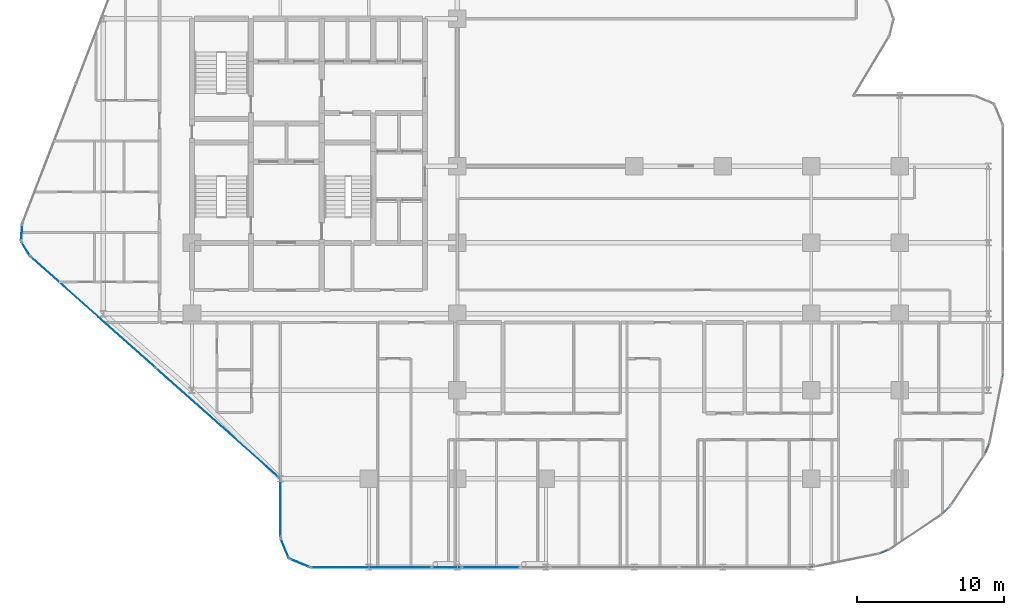
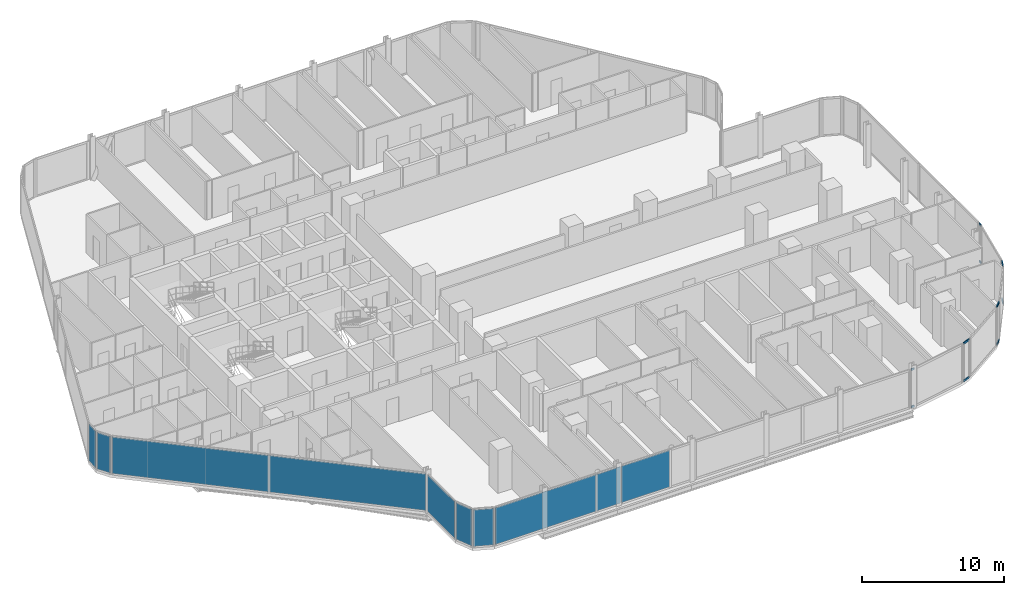
# One storey, part 20 of 33: 10 members, 10 plates, 14 elements without a shape of their own.
"""IFC4 building model written with IfcOpenShell, lengths in metres."""

from ifc_helpers import new_model, si_unit, direction, frame, origin, origin_2d, place, context, subcontext, project, spatial, rectangle, hollow_rectangle, extrude, material, layer, layer_set, material_profile, profile_set, type_object, element, aggregate, save


model = new_model("IFC4")

# Units and contexts
model_context = context("Model", 3, precision=1e-05, world=origin(), true_north=direction((0.0, 1.0)))
body_context = subcontext(model_context, "Body", "Model", "MODEL_VIEW")
ifc_project = project(units=[si_unit("LENGTHUNIT", "METRE"), si_unit("AREAUNIT", "SQUARE_METRE"), si_unit("VOLUMEUNIT", "CUBIC_METRE"), si_unit("PLANEANGLEUNIT", "RADIAN"), si_unit("MASSUNIT", "GRAM", prefix="KILO")], contexts=[model_context])

# Site, building, storey
site_placement = place(None, origin())
site = spatial("IfcSite", under=ifc_project, at=site_placement, CompositionType="ELEMENT")
building_placement = place(site_placement, origin())
building = spatial("IfcBuilding", under=site, at=building_placement, Name="Keshet Zoharim Tower", CompositionType="ELEMENT")
storey_placement = place(building_placement, frame((0.0, 0.0, 57.300048828125)))
storey = spatial("IfcBuildingStorey", under=building, at=storey_placement, Name="L13", CompositionType="ELEMENT", Elevation=57.300048828125)

# Curtain wall, members
ifc_material_1 = material(Name="Aluminium 6063-T6", Category="aluminium")
ifc_layer_1 = layer(ifc_material_1, 0.169921875)
ifc_layer_set_1 = layer_set([ifc_layer_1], Name="Aluminium 6063-T6")
curtain_wall_type_1 = type_object("IfcCurtainWallType", Name="CW-SYS-02", PredefinedType="NOTDEFINED", material=ifc_layer_set_1)
curtain_wall_1_placement = place(storey_placement, origin())
curtain_wall_1 = element("IfcCurtainWall", 1, at=curtain_wall_1_placement, inside=storey, type_object=curtain_wall_type_1, Name="L13 Unitised Curtain Wall 17", PredefinedType="NOTDEFINED")
ifc_material_profile = material_profile(ifc_material_1, hollow_rectangle(XDim=0.0849609375, YDim=0.159912109375, WallThickness=0.00439453125, at=origin_2d()), Name="TRN-85x160")
ifc_profile_set = profile_set([ifc_material_profile], Name="Aluminium 6063-T6")
member_type = type_object("IfcMemberType", Name="CWT-T16", PredefinedType="USERDEFINED", material=ifc_profile_set)
member_1_placement = place(storey_placement, frame((69.9931640625, 13.827392578125, 0.034912109375), z_axis=(-0.096912647607, -0.995292890929, 0.0), x_axis=(0.995292890929, -0.096912647607, 0.0)))
member_1 = element("IfcMember", 2, at=member_1_placement, type_object=member_type, Name="CW-02 transom 1.1", ObjectType="TRANSOM", PredefinedType="USERDEFINED", context=body_context, shape_type="SweptSolid", body=[
    extrude(hollow_rectangle(XDim=0.0849609375, YDim=0.159912109375, WallThickness=0.00439453125, at=origin_2d()), origin(), (0.0, 0.0, 1.0), 0.251953125),
])
member_2_placement = place(storey_placement, frame((69.9931640625, 13.827392578125, 3.244873046875), z_axis=(-0.096912647607, -0.995292890929, 0.0), x_axis=(0.995292890929, -0.096912647607, 0.0)))
member_2 = element("IfcMember", 3, at=member_2_placement, type_object=member_type, Name="CW-02 transom 1.2", ObjectType="TRANSOM", PredefinedType="USERDEFINED", context=body_context, shape_type="SweptSolid", body=[
    extrude(hollow_rectangle(XDim=0.0849609375, YDim=0.159912109375, WallThickness=0.00439453125, at=origin_2d()), origin(), (0.0, 0.0, 1.0), 0.251953125),
])
aggregate(curtain_wall_1, [member_1, member_2])

ifc_layer_2 = layer(ifc_material_1, 0.179931640625)
ifc_layer_set_2 = layer_set([ifc_layer_2], Name="Aluminium 6063-T6")
curtain_wall_type_2 = type_object("IfcCurtainWallType", Name="CW-SYS-01", PredefinedType="NOTDEFINED", material=ifc_layer_set_2)
curtain_wall_2_placement = place(storey_placement, origin())
curtain_wall_2 = element("IfcCurtainWall", 4, at=curtain_wall_2_placement, inside=storey, type_object=curtain_wall_type_2, Name="L13 Unitised Curtain Wall 19", PredefinedType="NOTDEFINED")
member_3_placement = place(storey_placement, frame((69.061279296875, 9.05029296875, 0.034912109375), z_axis=(-0.383126096215, -0.923696050874, 0.0), x_axis=(0.923696050874, -0.383126096215, 0.0)))
member_3 = element("IfcMember", 5, at=member_3_placement, type_object=member_type, Name="CW-01 transom 1.1", ObjectType="TRANSOM", PredefinedType="USERDEFINED", context=body_context, shape_type="SweptSolid", body=[
    extrude(hollow_rectangle(XDim=0.0849609375, YDim=0.159912109375, WallThickness=0.00439453125, at=origin_2d()), origin(), (0.0, 0.0, 1.0), 0.640380859375),
])
member_4_placement = place(storey_placement, frame((69.061279296875, 9.05029296875, 3.244873046875), z_axis=(-0.383126096215, -0.923696050874, 0.0), x_axis=(0.923696050874, -0.383126096215, 0.0)))
member_4 = element("IfcMember", 6, at=member_4_placement, type_object=member_type, Name="CW-01 transom 1.2", ObjectType="TRANSOM", PredefinedType="USERDEFINED", context=body_context, shape_type="SweptSolid", body=[
    extrude(hollow_rectangle(XDim=0.0849609375, YDim=0.159912109375, WallThickness=0.00439453125, at=origin_2d()), origin(), (0.0, 0.0, 1.0), 0.640380859375),
])
aggregate(curtain_wall_2, [member_3, member_4])

curtain_wall_3_placement = place(storey_placement, origin())
curtain_wall_3 = element("IfcCurtainWall", 7, at=curtain_wall_3_placement, inside=storey, type_object=curtain_wall_type_2, Name="L13 Unitised Curtain Wall 21", PredefinedType="NOTDEFINED")
member_5_placement = place(storey_placement, frame((66.363525390625, 4.78857421875, 0.034912109375), z_axis=(-0.707106781187, -0.707106781187, 0.0), x_axis=(0.707106781187, -0.707106781187, 0.0)))
member_5 = element("IfcMember", 8, at=member_5_placement, type_object=member_type, Name="CW-01 transom 1.1", ObjectType="TRANSOM", PredefinedType="USERDEFINED", context=body_context, shape_type="SweptSolid", body=[
    extrude(hollow_rectangle(XDim=0.0849609375, YDim=0.159912109375, WallThickness=0.00439453125, at=origin_2d()), origin(), (0.0, 0.0, 1.0), 0.639404296875),
])
member_6_placement = place(storey_placement, frame((66.363525390625, 4.78857421875, 3.244873046875), z_axis=(-0.707106781187, -0.707106781187, 0.0), x_axis=(0.707106781187, -0.707106781187, 0.0)))
member_6 = element("IfcMember", 9, at=member_6_placement, type_object=member_type, Name="CW-01 transom 1.2", ObjectType="TRANSOM", PredefinedType="USERDEFINED", context=body_context, shape_type="SweptSolid", body=[
    extrude(hollow_rectangle(XDim=0.0849609375, YDim=0.159912109375, WallThickness=0.00439453125, at=origin_2d()), origin(), (0.0, 0.0, 1.0), 0.639404296875),
])
aggregate(curtain_wall_3, [member_5, member_6])

curtain_wall_4_placement = place(storey_placement, origin())
curtain_wall_4 = element("IfcCurtainWall", 10, at=curtain_wall_4_placement, inside=storey, type_object=curtain_wall_type_2, Name="L13 Unitised Curtain Wall 23", PredefinedType="NOTDEFINED")
member_7_placement = place(storey_placement, frame((62.241455078125, 1.88427734375, 0.034912109375), z_axis=(-0.923751978938, -0.382991228891, 0.0), x_axis=(0.382991228891, -0.923751978938, 0.0)))
member_7 = element("IfcMember", 11, at=member_7_placement, type_object=member_type, Name="CW-01 transom 1.1", ObjectType="TRANSOM", PredefinedType="USERDEFINED", context=body_context, shape_type="SweptSolid", body=[
    extrude(hollow_rectangle(XDim=0.0849609375, YDim=0.159912109375, WallThickness=0.00439453125, at=origin_2d()), origin(), (0.0, 0.0, 1.0), 0.640625),
])
member_8_placement = place(storey_placement, frame((62.241455078125, 1.88427734375, 3.244873046875), z_axis=(-0.923751978938, -0.382991228891, 0.0), x_axis=(0.382991228891, -0.923751978938, 0.0)))
member_8 = element("IfcMember", 12, at=member_8_placement, type_object=member_type, Name="CW-01 transom 1.2", ObjectType="TRANSOM", PredefinedType="USERDEFINED", context=body_context, shape_type="SweptSolid", body=[
    extrude(hollow_rectangle(XDim=0.0849609375, YDim=0.159912109375, WallThickness=0.00439453125, at=origin_2d()), origin(), (0.0, 0.0, 1.0), 0.640625),
])
aggregate(curtain_wall_4, [member_7, member_8])

curtain_wall_5_placement = place(storey_placement, origin())
curtain_wall_5 = element("IfcCurtainWall", 13, at=curtain_wall_5_placement, inside=storey, type_object=curtain_wall_type_2, Name="L13 Unitised Curtain Wall 25", PredefinedType="NOTDEFINED")
member_9_placement = place(storey_placement, frame((57.123291015625, 0.731201171875, 0.034912109375), z_axis=(-0.995292890929, -0.096912647607, 0.0), x_axis=(0.096912647607, -0.995292890929, 0.0)))
member_9 = element("IfcMember", 14, at=member_9_placement, type_object=member_type, Name="CW-01 transom 1.1", ObjectType="TRANSOM", PredefinedType="USERDEFINED", context=body_context, shape_type="SweptSolid", body=[
    extrude(hollow_rectangle(XDim=0.0849609375, YDim=0.159912109375, WallThickness=0.00439453125, at=origin_2d()), origin(), (0.0, 0.0, 1.0), 0.251953125),
])
member_10_placement = place(storey_placement, frame((57.123291015625, 0.731201171875, 3.244873046875), z_axis=(-0.995292890929, -0.096912647607, 0.0), x_axis=(0.096912647607, -0.995292890929, 0.0)))
member_10 = element("IfcMember", 15, at=member_10_placement, type_object=member_type, Name="CW-01 transom 1.2", ObjectType="TRANSOM", PredefinedType="USERDEFINED", context=body_context, shape_type="SweptSolid", body=[
    extrude(hollow_rectangle(XDim=0.0849609375, YDim=0.159912109375, WallThickness=0.00439453125, at=origin_2d()), origin(), (0.0, 0.0, 1.0), 0.251953125),
])
aggregate(curtain_wall_5, [member_9, member_10])

# Curtain wall, plates
curtain_wall_6_placement = place(storey_placement, origin())
curtain_wall_6 = element("IfcCurtainWall", 16, at=curtain_wall_6_placement, inside=storey, type_object=curtain_wall_type_2, Name="L13 Unitised Curtain Wall 01", PredefinedType="NOTDEFINED")
ifc_material_2 = material(Name="Insulated Low-E Clear Glass", Category="glass")
ifc_layer_3 = layer(ifc_material_2, 0.035888671875)
ifc_layer_set_3 = layer_set([ifc_layer_3], Name="Insulated Low-E Clear Glass")
plate_type_1 = type_object("IfcPlateType", Name="CWP-01", PredefinedType="CURTAIN_PANEL", material=ifc_layer_set_3)
plate_1_placement = place(storey_placement, frame((16.74560546875, 10.481689453125, 0.06982421875), z_axis=(0.0, 0.0, 1.0), x_axis=(-0.747409318679, 0.664363838836, 0.0)))
plate_1 = element("IfcPlate", 17, at=plate_1_placement, type_object=plate_type_1, Name="CW-01 panel 1.1", PredefinedType="CURTAIN_PANEL", context=body_context, shape_type="SweptSolid", body=[
    extrude(rectangle(XDim=11.244140625, YDim=0.035888671875, at=origin_2d()), origin(), (0.0, 0.0, 1.0), 3.139892578125),
])
plate_2_placement = place(storey_placement, frame((8.289306640625, 17.998291015625, 0.06982421875), z_axis=(0.0, 0.0, 1.0), x_axis=(-0.747409318679, 0.664363838836, 0.0)))
plate_2 = element("IfcPlate", 18, at=plate_2_placement, type_object=plate_type_1, Name="CW-01 panel 2.1", PredefinedType="CURTAIN_PANEL", context=body_context, shape_type="SweptSolid", body=[
    extrude(rectangle(XDim=11.244140625, YDim=0.035888671875, at=origin_2d()), origin(), (0.0, 0.0, 1.0), 3.139892578125),
])
aggregate(curtain_wall_6, [plate_1, plate_2])

# Curtain wall, plate
curtain_wall_7_placement = place(storey_placement, origin())
curtain_wall_7 = element("IfcCurtainWall", 19, at=curtain_wall_7_placement, inside=storey, type_object=curtain_wall_type_2, Name="L13 Unitised Curtain Wall 02", PredefinedType="NOTDEFINED")
plate_3_placement = place(storey_placement, frame((3.7275390625, 22.291015625, 0.06982421875), z_axis=(0.0, 0.0, 1.0), x_axis=(-0.515604947933, 0.856826433805, 0.0)))
plate_3 = element("IfcPlate", 20, at=plate_3_placement, type_object=plate_type_1, Name="CW-01 panel 1.1", PredefinedType="CURTAIN_PANEL", context=body_context, shape_type="SweptSolid", body=[
    extrude(rectangle(XDim=1.052734375, YDim=0.035888671875, at=origin_2d()), origin(), (0.0, 0.0, 1.0), 3.139892578125),
])
aggregate(curtain_wall_7, [plate_3])

curtain_wall_8_placement = place(storey_placement, origin())
curtain_wall_8 = element("IfcCurtainWall", 21, at=curtain_wall_8_placement, inside=storey, type_object=curtain_wall_type_2, Name="L13 Unitised Curtain Wall 03", PredefinedType="NOTDEFINED")
plate_4_placement = place(storey_placement, frame((3.45849609375, 23.3974609375, 0.06982421875), z_axis=(0.0, 0.0, 1.0), x_axis=(0.064516859374, 0.997916617186, 0.0)))
plate_4 = element("IfcPlate", 22, at=plate_4_placement, type_object=plate_type_1, Name="CW-01 panel 1.1", PredefinedType="CURTAIN_PANEL", context=body_context, shape_type="SweptSolid", body=[
    extrude(rectangle(XDim=1.053466796875, YDim=0.035888671875, at=origin_2d()), origin(), (0.0, 0.0, 1.0), 3.139892578125),
])
aggregate(curtain_wall_8, [plate_4])

curtain_wall_9_placement = place(storey_placement, origin())
curtain_wall_9 = element("IfcCurtainWall", 23, at=curtain_wall_9_placement, inside=storey, type_object=curtain_wall_type_2, Name="L13 Unitised Curtain Wall 26 Part 3", PredefinedType="NOTDEFINED")
plate_5_placement = place(storey_placement, frame((35.284912109375, 0.699951171875, 0.06982421875), z_axis=(0.0, 0.0, 1.0), x_axis=(-1.0, 0.0, 0.0)))
plate_5 = element("IfcPlate", 24, at=plate_5_placement, type_object=plate_type_1, Name="CW-01 panel 1.1", PredefinedType="CURTAIN_PANEL", context=body_context, shape_type="SweptSolid", body=[
    extrude(rectangle(XDim=3.906494140625, YDim=0.035888671875, at=origin_2d()), origin(), (0.0, 0.0, 1.0), 3.139892578125),
])
aggregate(curtain_wall_9, [plate_5])

curtain_wall_10_placement = place(storey_placement, origin())
curtain_wall_10 = element("IfcCurtainWall", 25, at=curtain_wall_10_placement, inside=storey, type_object=curtain_wall_type_2, Name="L13 Unitised Curtain Wall 26 Part 5", PredefinedType="NOTDEFINED")
plate_6_placement = place(storey_placement, frame((27.154052734375, 0.699951171875, 0.06982421875), z_axis=(0.0, 0.0, 1.0), x_axis=(-1.0, 0.0, 0.0)))
plate_6 = element("IfcPlate", 26, at=plate_6_placement, type_object=plate_type_1, Name="CW-01 panel 1.1", PredefinedType="CURTAIN_PANEL", context=body_context, shape_type="SweptSolid", body=[
    extrude(rectangle(XDim=8.168212890625, YDim=0.035888671875, at=origin_2d()), origin(), (0.0, 0.0, 1.0), 3.139892578125),
])
aggregate(curtain_wall_10, [plate_6])

curtain_wall_11_placement = place(storey_placement, origin())
curtain_wall_11 = element("IfcCurtainWall", 27, at=curtain_wall_11_placement, inside=storey, type_object=curtain_wall_type_2, Name="L13 Unitised Curtain Wall 27", PredefinedType="NOTDEFINED")
plate_7_placement = place(storey_placement, frame((22.29296875, 0.992919921875, 0.06982421875), z_axis=(0.0, 0.0, 1.0), x_axis=(-0.92380975372, 0.382851849847, 0.0)))
plate_7 = element("IfcPlate", 28, at=plate_7_placement, type_object=plate_type_1, Name="CW-01 panel 1.1", PredefinedType="CURTAIN_PANEL", context=body_context, shape_type="SweptSolid", body=[
    extrude(rectangle(XDim=1.390625, YDim=0.035888671875, at=origin_2d()), origin(), (0.0, 0.0, 1.0), 3.139892578125),
])
aggregate(curtain_wall_11, [plate_7])

curtain_wall_12_placement = place(storey_placement, origin())
curtain_wall_12 = element("IfcCurtainWall", 29, at=curtain_wall_12_placement, inside=storey, type_object=curtain_wall_type_2, Name="L13 Unitised Curtain Wall 28", PredefinedType="NOTDEFINED")
plate_8_placement = place(storey_placement, frame((21.29296875, 1.992919921875, 0.06982421875), z_axis=(0.0, 0.0, 1.0), x_axis=(-0.382851849847, 0.92380975372, 0.0)))
plate_8 = element("IfcPlate", 30, at=plate_8_placement, type_object=plate_type_1, Name="CW-01 panel 1.1", PredefinedType="CURTAIN_PANEL", context=body_context, shape_type="SweptSolid", body=[
    extrude(rectangle(XDim=1.390625, YDim=0.035888671875, at=origin_2d()), origin(), (0.0, 0.0, 1.0), 3.139892578125),
])
aggregate(curtain_wall_12, [plate_8])

curtain_wall_13_placement = place(storey_placement, origin())
curtain_wall_13 = element("IfcCurtainWall", 31, at=curtain_wall_13_placement, inside=storey, type_object=curtain_wall_type_2, Name="L13 Unitised Curtain Wall 29", PredefinedType="NOTDEFINED")
plate_9_placement = place(storey_placement, frame((21.0, 4.699951171875, 0.06982421875), z_axis=(0.0, 0.0, 1.0), x_axis=(0.0, 1.0, 0.0)))
plate_9 = element("IfcPlate", 32, at=plate_9_placement, type_object=plate_type_1, Name="CW-01 panel 1.1", PredefinedType="CURTAIN_PANEL", context=body_context, shape_type="SweptSolid", body=[
    extrude(rectangle(XDim=3.860107421875, YDim=0.035888671875, at=origin_2d()), origin(), (0.0, 0.0, 1.0), 3.139892578125),
])
aggregate(curtain_wall_13, [plate_9])

curtain_wall_14_placement = place(storey_placement, origin())
curtain_wall_14 = element("IfcCurtainWall", 33, at=curtain_wall_14_placement, inside=storey, type_object=curtain_wall_type_2, Name="L13 Unitised Curtain Wall 26 Part 4", PredefinedType="NOTDEFINED")
ifc_material_3 = material(Name="Insulated Aluminium Spandrel Panel", Category="aluminium")
ifc_layer_4 = layer(ifc_material_3, 0.035888671875)
ifc_layer_set_4 = layer_set([ifc_layer_4], Name="Insulated Aluminium Spandrel Panel")
plate_type_2 = type_object("IfcPlateType", Name="CWP-04", PredefinedType="CURTAIN_PANEL", material=ifc_layer_set_4)
plate_10_placement = place(storey_placement, frame((32.284912109375, 0.699951171875, 0.06982421875), z_axis=(0.0, 0.0, 1.0), x_axis=(-1.0, 0.0, 0.0)))
plate_10 = element("IfcPlate", 34, at=plate_10_placement, type_object=plate_type_2, Name="CW-01 spandrel panel 1.1", PredefinedType="CURTAIN_PANEL", context=body_context, shape_type="SweptSolid", body=[
    extrude(rectangle(XDim=1.953369140625, YDim=0.035888671875, at=origin_2d()), origin(), (0.0, 0.0, 1.0), 3.139892578125),
])
aggregate(curtain_wall_14, [plate_10])

save(model, "model.ifc")
